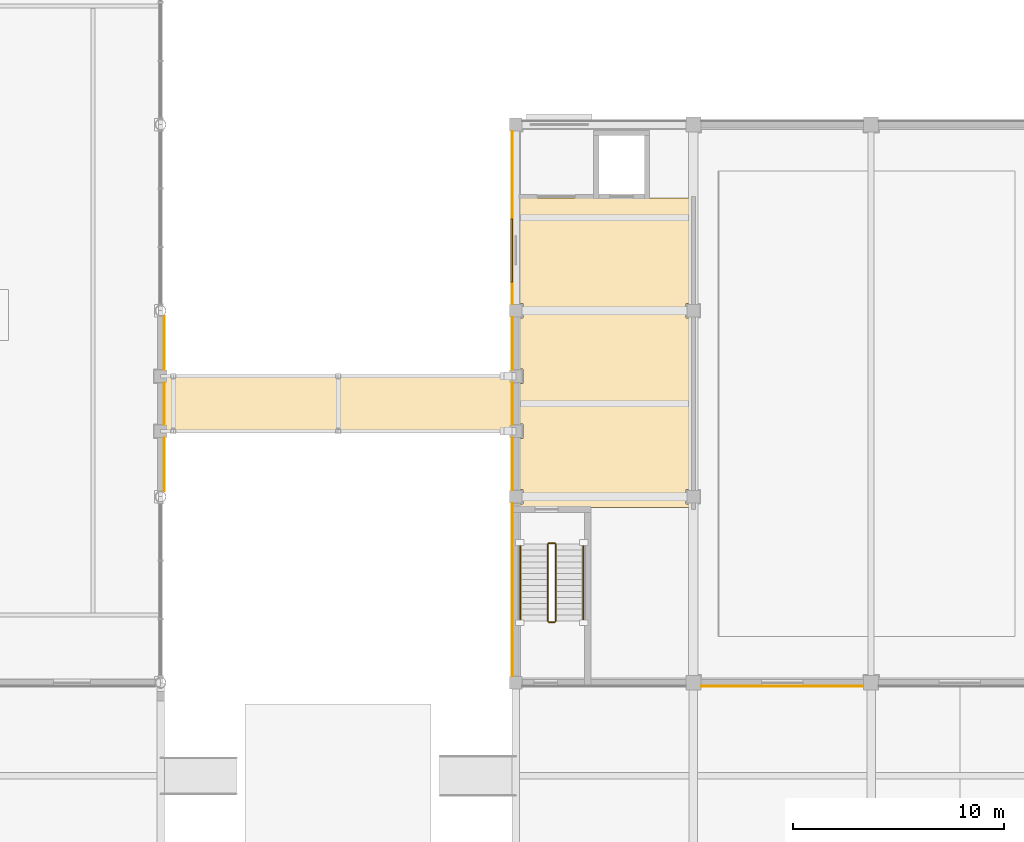
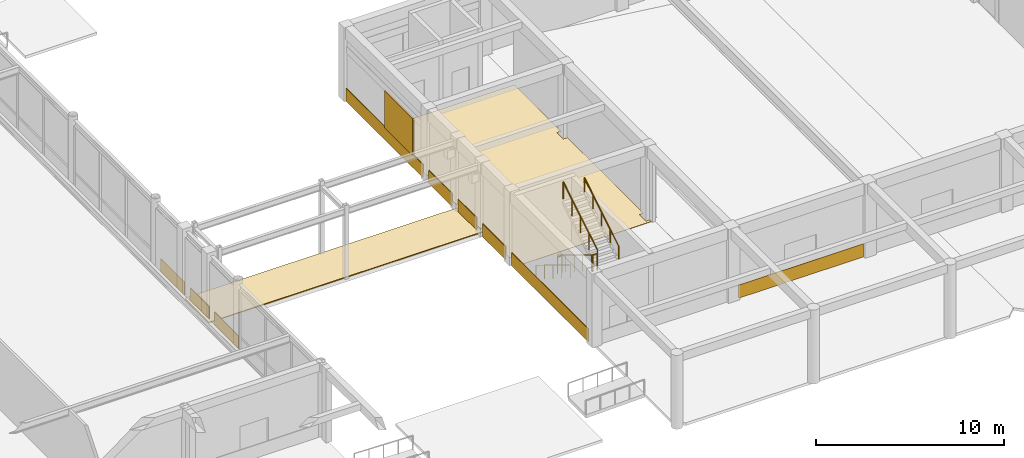
# One storey, part 44 of 58: 11 coverings, 6 railings, 1 shading device.
"""IFC4 building model written with IfcOpenShell, lengths in metres."""

from ifc_helpers import new_model, si_unit, direction, frame, origin, origin_2d, place, context, subcontext, project, spatial, polyline, rectangle, circle, outline, extrude, material, layer, layer_set, type_object, element, save


model = new_model("IFC4")

# Units and contexts
model_context = context("Model", 3, precision=1e-05, world=origin(), true_north=direction((0.0, 1.0)))
body_context = subcontext(model_context, "Body", "Model", "MODEL_VIEW")
ifc_project = project(units=[si_unit("LENGTHUNIT", "METRE"), si_unit("AREAUNIT", "SQUARE_METRE"), si_unit("VOLUMEUNIT", "CUBIC_METRE"), si_unit("PLANEANGLEUNIT", "RADIAN"), si_unit("MASSUNIT", "GRAM", prefix="KILO")], contexts=[model_context])

# Site, building, storey
site_placement = place(None, origin())
site = spatial("IfcSite", under=ifc_project, at=site_placement, CompositionType="ELEMENT")
building_placement = place(site_placement, origin())
building = spatial("IfcBuilding", under=site, at=building_placement, Name="Kemercrest Conservatory and Botanical Centre", CompositionType="ELEMENT")
storey_placement = place(building_placement, origin())
storey = spatial("IfcBuildingStorey", under=building, at=storey_placement, Name="L00", CompositionType="ELEMENT", Elevation=0.0)

# Coverings
ifc_material_1 = material(Name="Honed limestone almasik ashlar rainscreen", Category="masonry")
ifc_layer_1 = layer(ifc_material_1, 0.0400390625)
ifc_layer_set_1 = layer_set([ifc_layer_1], Name="Honed limestone almasik ashlar rainscreen")
covering_type_1 = type_object("IfcCoveringType", Name="CV-CLD040", PredefinedType="CLADDING", material=ifc_layer_set_1)
covering_1_placement = place(storey_placement, origin())
element("IfcCovering", 1, at=covering_1_placement, inside=storey, type_object=covering_type_1, Name="Exterior stone spandrel cladding (WAL:L00:EXT-005-S1)", PredefinedType="CLADDING", context=body_context, shape_type="SweptSolid", body=[
    extrude(outline(polyline([(41.75, 25.864013671875), (41.7900390625, 25.864013671875), (41.7900390625, 28.389892578125), (41.75, 28.389892578125), (41.75, 25.864013671875)])), origin(), (0.0, 0.0, 1.0), 0.85009765625),
])
covering_2_placement = place(storey_placement, origin())
element("IfcCovering", 2, at=covering_2_placement, inside=storey, type_object=covering_type_1, Name="Exterior stone spandrel cladding (WAL:L00:EXT-005-S2)", PredefinedType="CLADDING", context=body_context, shape_type="SweptSolid", body=[
    extrude(outline(polyline([(41.75, 29.010009765625), (41.7900390625, 29.010009765625), (41.7900390625, 30.989990234375), (41.75, 30.989990234375), (41.75, 29.010009765625)])), origin(), (0.0, 0.0, 1.0), 0.85009765625),
])
covering_3_placement = place(storey_placement, origin())
element("IfcCovering", 3, at=covering_3_placement, inside=storey, type_object=covering_type_1, Name="Exterior stone spandrel cladding (WAL:L00:EXT-005-S3)", PredefinedType="CLADDING", context=body_context, shape_type="SweptSolid", body=[
    extrude(outline(polyline([(41.75, 31.610107421875), (41.7900390625, 31.610107421875), (41.7900390625, 34.135986328125), (41.75, 34.135986328125), (41.75, 31.610107421875)])), origin(), (0.0, 0.0, 1.0), 0.85009765625),
])
covering_4_placement = place(storey_placement, origin())
element("IfcCovering", 4, at=covering_4_placement, inside=storey, type_object=covering_type_1, Name="Exterior stone spandrel cladding (WAL:L00:EXT-022)", PredefinedType="CLADDING", context=body_context, shape_type="SweptSolid", body=[
    extrude(outline(polyline([(67.159912109375, 16.64990234375), (67.159912109375, 16.610107421875), (74.840087890625, 16.610107421875), (74.840087890625, 16.64990234375), (67.159912109375, 16.64990234375)])), origin(), (0.0, 0.0, 1.0), 0.85009765625),
])
covering_5_placement = place(storey_placement, origin())
element("IfcCovering", 5, at=covering_5_placement, inside=storey, type_object=covering_type_1, Name="Exterior stone spandrel cladding (WAL:L00:EXT-034)", PredefinedType="CLADDING", context=body_context, shape_type="SweptSolid", body=[
    extrude(outline(polyline([(58.25, 42.889892578125), (58.2099609375, 42.889892578125), (58.2099609375, 34.7099609375), (58.25, 34.7099609375), (58.25, 42.889892578125)])), origin(), (0.0, 0.0, 1.0), 0.85009765625),
])
covering_6_placement = place(storey_placement, origin())
element("IfcCovering", 6, at=covering_6_placement, inside=storey, type_object=covering_type_1, Name="Exterior stone spandrel cladding (WAL:L00:EXT-035-S1)", PredefinedType="CLADDING", context=body_context, shape_type="SweptSolid", body=[
    extrude(outline(polyline([(58.25, 34.090087890625), (58.2099609375, 34.090087890625), (58.2099609375, 31.610107421875), (58.25, 31.610107421875), (58.25, 34.090087890625)])), origin(), (0.0, 0.0, 1.0), 0.85009765625),
])
covering_7_placement = place(storey_placement, origin())
element("IfcCovering", 7, at=covering_7_placement, inside=storey, type_object=covering_type_1, Name="Exterior stone spandrel cladding (WAL:L00:EXT-035-S2)", PredefinedType="CLADDING", context=body_context, shape_type="SweptSolid", body=[
    extrude(outline(polyline([(58.25, 30.989990234375), (58.2099609375, 30.989990234375), (58.2099609375, 29.010009765625), (58.25, 29.010009765625), (58.25, 30.989990234375)])), origin(), (0.0, 0.0, 1.0), 0.85009765625),
])
covering_8_placement = place(storey_placement, origin())
element("IfcCovering", 8, at=covering_8_placement, inside=storey, type_object=covering_type_1, Name="Exterior stone spandrel cladding (WAL:L00:EXT-035-S3)", PredefinedType="CLADDING", context=body_context, shape_type="SweptSolid", body=[
    extrude(outline(polyline([(58.25, 28.389892578125), (58.2099609375, 28.389892578125), (58.2099609375, 25.909912109375), (58.25, 25.909912109375), (58.25, 28.389892578125)])), origin(), (0.0, 0.0, 1.0), 0.85009765625),
])
covering_9_placement = place(storey_placement, origin())
element("IfcCovering", 9, at=covering_9_placement, inside=storey, type_object=covering_type_1, Name="Exterior stone spandrel cladding (WAL:L00:EXT-036)", PredefinedType="CLADDING", context=body_context, shape_type="SweptSolid", body=[
    extrude(outline(polyline([(58.25, 25.2900390625), (58.2099609375, 25.2900390625), (58.2099609375, 17.110107421875), (58.25, 17.110107421875), (58.25, 25.2900390625)])), origin(), (0.0, 0.0, 1.0), 0.85009765625),
])
ifc_material_2 = material(Name="Polished limestone terrazzo and seamless laboratory epoxy flooring", Category="masonry")
ifc_layer_2 = layer(ifc_material_2, 0.02001953125)
ifc_layer_set_2 = layer_set([ifc_layer_2], Name="Polished limestone terrazzo and seamless laboratory epoxy flooring")
covering_type_2 = type_object("IfcCoveringType", Name="CV-FLR020", PredefinedType="FLOORING", material=ifc_layer_set_2)
covering_10_placement = place(storey_placement, origin())
element("IfcCovering", 10, at=covering_10_placement, inside=storey, type_object=covering_type_2, Name="Auditorium Harbour Foyer terrazzo floor finish", PredefinedType="FLOORING", context=body_context, shape_type="SweptSolid", body=[
    extrude(outline(polyline([(58.47998046875, 25.080078125), (66.719970703125, 25.080078125), (66.719970703125, 25.260009765625), (66.4599609375, 25.260009765625), (66.4599609375, 25.93994140625), (66.719970703125, 25.93994140625), (66.719970703125, 34.06005859375), (66.4599609375, 34.06005859375), (66.4599609375, 34.739990234375), (66.719970703125, 34.739990234375), (66.719970703125, 39.719970703125), (58.47998046875, 39.719970703125), (58.47998046875, 34.739990234375), (58.739990234375, 34.739990234375), (58.739990234375, 34.06005859375), (58.47998046875, 34.06005859375), (58.47998046875, 31.639892578125), (58.739990234375, 31.639892578125), (58.739990234375, 30.9599609375), (58.47998046875, 30.9599609375), (58.47998046875, 29.0400390625), (58.739990234375, 29.0400390625), (58.739990234375, 28.360107421875), (58.47998046875, 28.360107421875), (58.47998046875, 25.93994140625), (58.739990234375, 25.93994140625), (58.739990234375, 25.260009765625), (58.47998046875, 25.260009765625), (58.47998046875, 25.080078125)])), origin(), (0.0, 0.0, 1.0), 0.02001953125),
])
ifc_material_3 = material(Name="SBS modified bitumen insulated roofing membrane", Category="roofing")
ifc_layer_3 = layer(ifc_material_3, 0.06005859375)
ifc_layer_set_3 = layer_set([ifc_layer_3], Name="SBS modified bitumen insulated roofing membrane")
covering_type_3 = type_object("IfcCoveringType", Name="CV-RFG060", PredefinedType="ROOFING", material=ifc_layer_set_3)
covering_11_placement = place(storey_placement, origin())
element("IfcCovering", 11, at=covering_11_placement, inside=storey, type_object=covering_type_3, Name="Insulated roof membrane covering (South Courtyard Covered Passage SJ-1 ground colonnade walkway)", PredefinedType="ROOFING", context=body_context, shape_type="SweptSolid", body=[
    extrude(outline(polyline([(41.60009765625, 28.699951171875), (58.39990234375, 28.699951171875), (58.39990234375, 31.300048828125), (41.60009765625, 31.300048828125), (41.60009765625, 28.699951171875)])), origin(), (0.0, 0.0, 1.0), 0.06005859375),
])

# Railings
ifc_material_4 = material(Name="Painted galvanized steel tubular stair guardrail", Category="steel")
railing_type_1 = type_object("IfcRailingType", Name="GR-STR110", PredefinedType="GUARDRAIL", material=ifc_material_4)
railing_1_placement = place(storey_placement, frame((59.909912109375, 23.360107421875, 0.17138671875)))
element("IfcRailing", 12, at=railing_1_placement, inside=storey, type_object=railing_type_1, Name="L00 ST-V2A stair guard 1", PredefinedType="GUARDRAIL", context=body_context, shape_type="SweptSolid", body=[
    extrude(circle(Radius=0.02392578125, at=origin_2d()), frame((0.0, 0.0, 1.076171875), z_axis=(0.0, -0.852865859571, 0.52213008492), x_axis=(1.0, 0.0, 0.0)), (0.0, 0.0, 1.0), 4.26806640625),
    extrude(circle(Radius=0.02099609375, at=origin_2d()), origin(), (0.0, 0.0, 1.0), 1.052001953125),
    extrude(circle(Radius=0.02099609375, at=origin_2d()), frame((0.0, -0.91015625, 0.55712890625)), (0.0, 0.0, 1.0), 1.052001953125),
    extrude(circle(Radius=0.02099609375, at=origin_2d()), frame((0.0, -1.820068359375, 1.1142578125)), (0.0, 0.0, 1.0), 1.052001953125),
    extrude(circle(Radius=0.02099609375, at=origin_2d()), frame((0.0, -2.72998046875, 1.67138671875)), (0.0, 0.0, 1.0), 1.052001953125),
    extrude(circle(Radius=0.02099609375, at=origin_2d()), frame((0.0, -3.64013671875, 2.228515625)), (0.0, 0.0, 1.0), 1.052001953125),
])
railing_2_placement = place(storey_placement, frame((59.9599609375, 19.669921875, 2.39990234375)))
element("IfcRailing", 13, at=railing_2_placement, inside=storey, type_object=railing_type_1, Name="L00 ST-V2A stair guard 2", PredefinedType="GUARDRAIL", context=body_context, shape_type="SweptSolid", body=[
    extrude(circle(Radius=0.02392578125, at=origin_2d()), frame((0.0, 0.0, 1.076171875), z_axis=(1.0, 0.0, 0.0), x_axis=(0.0, 1.0, 0.0)), (0.0, 0.0, 1.0), 0.280029296875),
    extrude(circle(Radius=0.02099609375, at=origin_2d()), origin(), (0.0, 0.0, 1.0), 1.052001953125),
    extrude(circle(Radius=0.02099609375, at=origin_2d()), frame((0.280029296875, 0.0, 0.0)), (0.0, 0.0, 1.0), 1.052001953125),
])
railing_3_placement = place(storey_placement, frame((60.2900390625, 19.719970703125, 2.571533203125)))
element("IfcRailing", 14, at=railing_3_placement, inside=storey, type_object=railing_type_1, Name="L00 ST-V2A stair guard 3", PredefinedType="GUARDRAIL", context=body_context, shape_type="SweptSolid", body=[
    extrude(circle(Radius=0.02392578125, at=origin_2d()), frame((0.0, 0.0, 1.076171875), z_axis=(0.0, 0.852865859571, 0.52213008492), x_axis=(-1.0, 0.0, 0.0)), (0.0, 0.0, 1.0), 4.26806640625),
    extrude(circle(Radius=0.02099609375, at=origin_2d()), origin(), (0.0, 0.0, 1.0), 1.052001953125),
    extrude(circle(Radius=0.02099609375, at=origin_2d()), frame((0.0, 0.91015625, 0.55712890625)), (0.0, 0.0, 1.0), 1.052001953125),
    extrude(circle(Radius=0.02099609375, at=origin_2d()), frame((0.0, 1.820068359375, 1.1142578125)), (0.0, 0.0, 1.0), 1.052001953125),
    extrude(circle(Radius=0.02099609375, at=origin_2d()), frame((0.0, 2.72998046875, 1.67138671875)), (0.0, 0.0, 1.0), 1.052001953125),
    extrude(circle(Radius=0.02099609375, at=origin_2d()), frame((0.0, 3.64013671875, 2.228515625)), (0.0, 0.0, 1.0), 1.052001953125),
])
railing_4_placement = place(storey_placement, frame((59.9599609375, 23.409912109375, 0.0)))
element("IfcRailing", 15, at=railing_4_placement, inside=storey, type_object=railing_type_1, Name="L00 ST-V2A stair guard 4", PredefinedType="GUARDRAIL", context=body_context, shape_type="SweptSolid", body=[
    extrude(circle(Radius=0.02392578125, at=origin_2d()), frame((0.0, 0.0, 1.076171875), z_axis=(1.0, 0.0, 0.0), x_axis=(0.0, 1.0, 0.0)), (0.0, 0.0, 1.0), 0.280029296875),
    extrude(circle(Radius=0.02099609375, at=origin_2d()), origin(), (0.0, 0.0, 1.0), 1.052001953125),
    extrude(circle(Radius=0.02099609375, at=origin_2d()), frame((0.280029296875, 0.0, 0.0)), (0.0, 0.0, 1.0), 1.052001953125),
])
ifc_material_5 = material(Name="Brushed stainless steel wall-mounted handrail", Category="steel")
railing_type_2 = type_object("IfcRailingType", Name="HR-STR090", PredefinedType="HANDRAIL", material=ifc_material_5)
railing_5_placement = place(storey_placement, frame((58.610107421875, 23.360107421875, 0.17138671875)))
element("IfcRailing", 16, at=railing_5_placement, inside=storey, type_object=railing_type_2, Name="L00 ST-V2A stair handrail 1", PredefinedType="HANDRAIL", context=body_context, shape_type="SweptSolid", body=[
    extrude(circle(Radius=0.02392578125, at=origin_2d()), frame((0.0, 0.0, 0.8759765625), z_axis=(0.0, -0.852865859571, 0.52213008492), x_axis=(1.0, 0.0, 0.0)), (0.0, 0.0, 1.0), 4.26806640625),
    extrude(circle(Radius=0.02099609375, at=origin_2d()), origin(), (0.0, 0.0, 1.0), 0.851806640625),
    extrude(circle(Radius=0.02099609375, at=origin_2d()), frame((0.0, -0.91015625, 0.55712890625)), (0.0, 0.0, 1.0), 0.851806640625),
    extrude(circle(Radius=0.02099609375, at=origin_2d()), frame((0.0, -1.820068359375, 1.1142578125)), (0.0, 0.0, 1.0), 0.851806640625),
    extrude(circle(Radius=0.02099609375, at=origin_2d()), frame((0.0, -2.72998046875, 1.67138671875)), (0.0, 0.0, 1.0), 0.851806640625),
    extrude(circle(Radius=0.02099609375, at=origin_2d()), frame((0.0, -3.64013671875, 2.228515625)), (0.0, 0.0, 1.0), 0.851806640625),
])
railing_6_placement = place(storey_placement, frame((61.590087890625, 19.719970703125, 2.571533203125)))
element("IfcRailing", 17, at=railing_6_placement, inside=storey, type_object=railing_type_2, Name="L00 ST-V2A stair handrail 2", PredefinedType="HANDRAIL", context=body_context, shape_type="SweptSolid", body=[
    extrude(circle(Radius=0.02392578125, at=origin_2d()), frame((0.0, 0.0, 0.8759765625), z_axis=(0.0, 0.852865859571, 0.52213008492), x_axis=(-1.0, 0.0, 0.0)), (0.0, 0.0, 1.0), 4.26806640625),
    extrude(circle(Radius=0.02099609375, at=origin_2d()), origin(), (0.0, 0.0, 1.0), 0.851806640625),
    extrude(circle(Radius=0.02099609375, at=origin_2d()), frame((0.0, 0.91015625, 0.55712890625)), (0.0, 0.0, 1.0), 0.851806640625),
    extrude(circle(Radius=0.02099609375, at=origin_2d()), frame((0.0, 1.820068359375, 1.1142578125)), (0.0, 0.0, 1.0), 0.851806640625),
    extrude(circle(Radius=0.02099609375, at=origin_2d()), frame((0.0, 2.72998046875, 1.67138671875)), (0.0, 0.0, 1.0), 0.851806640625),
    extrude(circle(Radius=0.02099609375, at=origin_2d()), frame((0.0, 3.64013671875, 2.228515625)), (0.0, 0.0, 1.0), 0.851806640625),
])

# Shading device
ifc_material_6 = material(Name="Perforated bronze-anodized aluminium", Category="aluminium")
shading_device_type = type_object("IfcShadingDeviceType", Name="SH-MS05", PredefinedType="USERDEFINED", material=ifc_material_6)
shading_device_placement = place(storey_placement, frame((58.2119140625, 37.2548828125, 0.820068359375), z_axis=(0.0, 0.0, 1.0), x_axis=(0.0, -1.0, 0.0)))
element("IfcShadingDevice", 18, at=shading_device_placement, inside=storey, type_object=shading_device_type, Name="Ottoman mashrabiya perforated screen SH-MS05 (WIN:L00:EXT-034)", ObjectType="MASHRABIYA SCREEN", PredefinedType="USERDEFINED", context=body_context, shape_type="SweptSolid", body=[
    extrude(rectangle(XDim=3.0, YDim=0.080078125, at=origin_2d()), origin(), (0.0, 0.0, 1.0), 2.39990234375),
])

save(model, "model.ifc")
